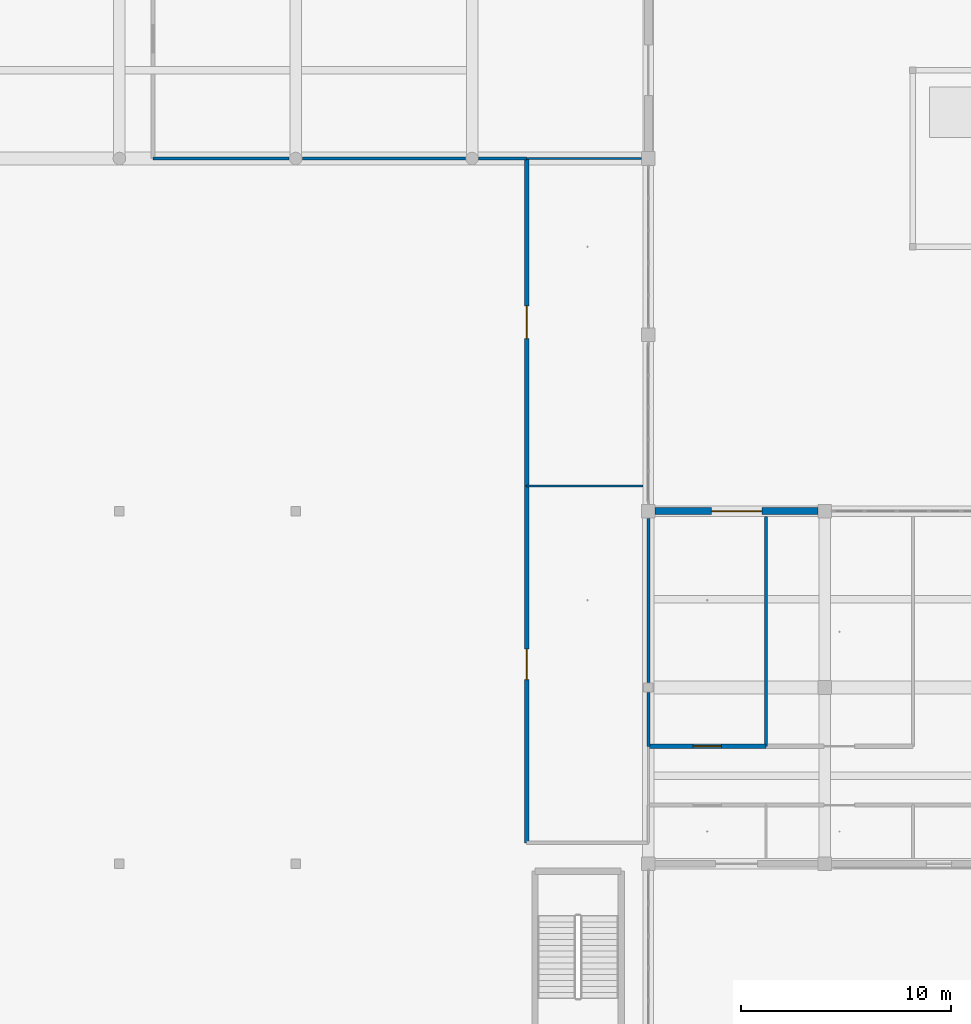
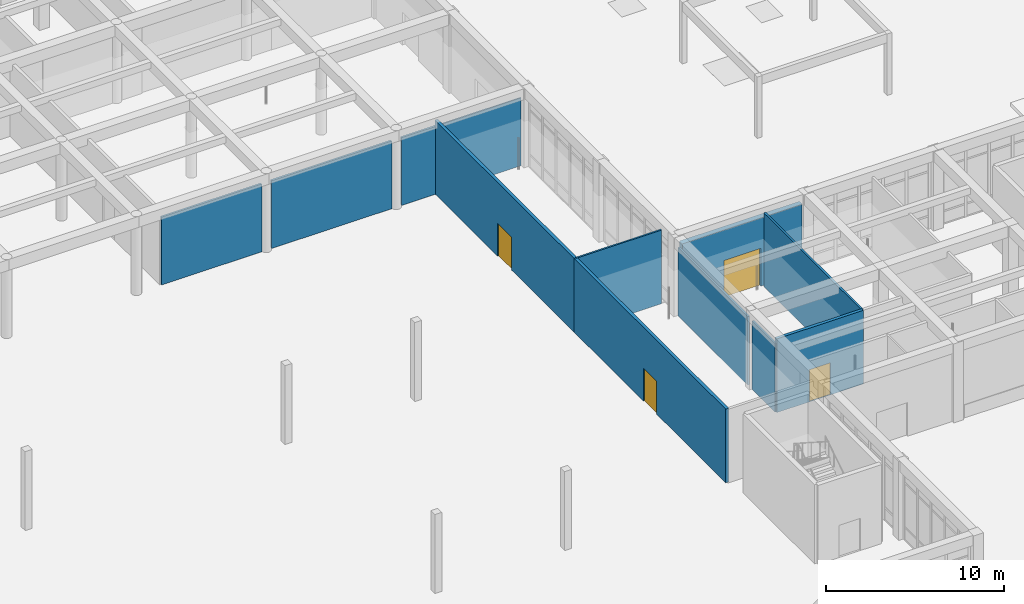
# One storey, part 64 of 167: 12 walls, 4 doors, 4 openings.
"""IFC4 building model written with IfcOpenShell, lengths in metres."""

from ifc_helpers import new_model, si_unit, direction, frame, frame_2d, origin, place, context, subcontext, project, spatial, rectangle, extrude, material, layer, layer_set, type_object, element, fill, save


model = new_model("IFC4")

# Units and contexts
model_context = context("Model", 3, precision=1e-05, world=origin(), true_north=direction((0.0, 1.0)))
body_context = subcontext(model_context, "Body", "Model", "MODEL_VIEW")
ifc_project = project(units=[si_unit("LENGTHUNIT", "METRE"), si_unit("AREAUNIT", "SQUARE_METRE"), si_unit("VOLUMEUNIT", "CUBIC_METRE"), si_unit("PLANEANGLEUNIT", "RADIAN"), si_unit("MASSUNIT", "GRAM", prefix="KILO")], contexts=[model_context])

# Site, building, storey
site_placement = place(None, origin())
site = spatial("IfcSite", under=ifc_project, at=site_placement, CompositionType="ELEMENT")
building_placement = place(site_placement, origin())
building = spatial("IfcBuilding", under=site, at=building_placement, Name="Varncliffe General Hospital", CompositionType="ELEMENT")
storey_placement = place(building_placement, origin())
storey = spatial("IfcBuildingStorey", under=building, at=storey_placement, Name="L00", CompositionType="ELEMENT", Elevation=0.0)

# Wall, opening, door
ifc_material_1 = material(Name="Precast concrete C40/50 with insulated cream lime-cement stucco", Category="concrete")
ifc_layer_1 = layer(ifc_material_1, 0.330078125)
ifc_layer_set_1 = layer_set([ifc_layer_1], Name="Precast concrete C40/50 with insulated cream lime-cement stucco")
wall_type_1 = type_object("IfcWallType", Name="Exterior Insulated Stucco Wall EW33 (330mm)", PredefinedType="SOLIDWALL", material=ifc_layer_set_1)
wall_1_placement = place(storey_placement, frame((117.923095703125, 40.800048828125, 0.0), z_axis=(0.0, 0.0, 1.0), x_axis=(1.0, 0.0, 0.0)))
wall_1 = element("IfcWall", 1, at=wall_1_placement, inside=storey, type_object=wall_type_1, Name="L00 Exterior Stucco Wall EW33-84", PredefinedType="SOLIDWALL", context=body_context, shape_type="SweptSolid", body=[
    extrude(rectangle(XDim=7.75390625, YDim=0.330078125, at=frame_2d((3.876953125, 0.0))), origin(), (0.0, 0.0, 1.0), 4.679931640625),
])
opening_1_placement = place(wall_1_placement, frame((2.677001953125, 0.0, 0.0)))
opening_1 = element("IfcOpeningElement", 2, at=opening_1_placement, cuts=wall_1, Name="Opening DE17", PredefinedType="OPENING", context=body_context, shape_type="SweptSolid", body=[
    extrude(rectangle(XDim=2.39990234375, YDim=2.60009765625, at=frame_2d((1.199951171875, 1.300048828125))), frame((0.0, 0.175048828125, 0.0), z_axis=(0.0, -1.0, 0.0), x_axis=(1.0, 0.0, 0.0)), (0.0, 0.0, 1.0), 0.35009765625),
])
ifc_material_2 = material(Name="Thermally broken bronze-anodized aluminium and safety glass door", Category="aluminium")
door_type_1 = type_object("IfcDoorType", Name="Exterior Pedestrian Door DE17 (2400x2600)", OperationType="NOTDEFINED", PredefinedType="DOOR", material=ifc_material_2)
door_1_placement = place(opening_1_placement, origin())
door_1 = element("IfcDoor", 3, at=door_1_placement, inside=storey, type_object=door_type_1, Name="Main Pedestrian Entrance and Final Exit Door FE-30", OperationType="DOUBLE_DOOR_SINGLE_SWING", OverallHeight=2.60009765625, OverallWidth=2.39990234375, PredefinedType="DOOR", context=body_context, shape_type="SweptSolid", body=[
    extrude(rectangle(XDim=2.39990234375, YDim=2.60009765625, at=frame_2d((1.199951171875, 1.300048828125))), frame((0.0, 0.02490234375, 0.0), z_axis=(0.0, -1.0, 0.0), x_axis=(1.0, 0.0, 0.0)), (0.0, 0.0, 1.0), 0.050048828125),
])
fill(opening_1, door_1)

# Walls
ifc_material_3 = material(Name="Acoustic clinical gypsum stud partition assembly", Category="gypsum")
ifc_layer_2 = layer(ifc_material_3, 0.1298828125)
ifc_layer_set_2 = layer_set([ifc_layer_2], Name="Acoustic clinical gypsum stud partition assembly")
wall_type_2 = type_object("IfcWallType", Name="Interior Partitioning IW11 (130mm)", PredefinedType="PARTITIONING", material=ifc_layer_set_2)
wall_2_placement = place(storey_placement, frame((101.114990234375, 57.60009765625, 0.0), z_axis=(0.0, 0.0, 1.0), x_axis=(1.0, 0.0, 0.0)))
element("IfcWall", 4, at=wall_2_placement, inside=storey, type_object=wall_type_2, Name="L00 Interior Partition Wall IW11-113", PredefinedType="PARTITIONING", context=body_context, shape_type="SweptSolid", body=[
    extrude(rectangle(XDim=7.77001953125, YDim=0.1298828125, at=frame_2d((3.885009765625, 0.0))), origin(), (0.0, 0.0, 1.0), 4.635009765625),
])
wall_3_placement = place(storey_placement, frame((94.0, 57.60009765625, 0.0), z_axis=(0.0, 0.0, 1.0), x_axis=(1.0, 0.0, 0.0)))
element("IfcWall", 5, at=wall_3_placement, inside=storey, type_object=wall_type_2, Name="L00 Interior Partition Wall IW11-114", PredefinedType="PARTITIONING", context=body_context, shape_type="SweptSolid", body=[
    extrude(rectangle(XDim=6.485107421875, YDim=0.1298828125, at=frame_2d((3.24267578125, 0.0))), origin(), (0.0, 0.0, 1.0), 4.635009765625),
])
wall_4_placement = place(storey_placement, frame((109.514892578125, 57.60009765625, 0.0), z_axis=(0.0, 0.0, 1.0), x_axis=(1.0, 0.0, 0.0)))
element("IfcWall", 6, at=wall_4_placement, inside=storey, type_object=wall_type_2, Name="L00 Interior Partition Wall IW11-115", PredefinedType="PARTITIONING", context=body_context, shape_type="SweptSolid", body=[
    extrude(rectangle(XDim=2.28515625, YDim=0.1298828125, at=frame_2d((1.142578125, 0.0))), origin(), (0.0, 0.0, 1.0), 4.635009765625),
])
wall_5_placement = place(storey_placement, frame((117.60009765625, 32.639892578125, 0.0), z_axis=(0.0, 0.0, 1.0), x_axis=(0.0, 1.0, 0.0)))
element("IfcWall", 7, at=wall_5_placement, inside=storey, type_object=wall_type_2, Name="L00 Interior Partition Wall IW11-358", PredefinedType="PARTITIONING", context=body_context, shape_type="SweptSolid", body=[
    extrude(rectangle(XDim=7.820068359375, YDim=0.1298828125, at=frame_2d((3.91015625, 0.0))), origin(), (0.0, 0.0, 1.0), 4.68505859375),
])
wall_6_placement = place(storey_placement, frame((117.60009765625, 29.60009765625, 0.0), z_axis=(0.0, 0.0, 1.0), x_axis=(0.0, 1.0, 0.0)))
element("IfcWall", 8, at=wall_6_placement, inside=storey, type_object=wall_type_2, Name="L00 Interior Partition Wall IW11-359", PredefinedType="PARTITIONING", context=body_context, shape_type="SweptSolid", body=[
    extrude(rectangle(XDim=2.559814453125, YDim=0.1298828125, at=frame_2d((1.27978515625, 0.0))), origin(), (0.0, 0.0, 1.0), 4.68505859375),
])
wall_7_placement = place(storey_placement, frame((123.199951171875, 29.60009765625, 0.0), z_axis=(0.0, 0.0, 1.0), x_axis=(0.0, 1.0, 0.0)))
element("IfcWall", 9, at=wall_7_placement, inside=storey, type_object=wall_type_2, Name="L00 Interior Partition Wall IW11-363", PredefinedType="PARTITIONING", context=body_context, shape_type="SweptSolid", body=[
    extrude(rectangle(XDim=10.93994140625, YDim=0.1298828125, at=frame_2d((5.469970703125, 0.0))), origin(), (0.0, 0.0, 1.0), 5.0400390625),
])
ifc_layer_3 = layer(ifc_material_3, 0.090087890625)
ifc_layer_set_3 = layer_set([ifc_layer_3], Name="Acoustic clinical gypsum stud partition assembly")
wall_type_3 = type_object("IfcWallType", Name="Interior Partitioning IW42 (90mm)", PredefinedType="PARTITIONING", material=ifc_layer_set_3)
wall_8_placement = place(storey_placement, frame((111.800048828125, 57.60009765625, 0.0), z_axis=(0.0, 0.0, 1.0), x_axis=(1.0, 0.0, 0.0)))
element("IfcWall", 10, at=wall_8_placement, inside=storey, type_object=wall_type_3, Name="L00 Interior Partition Wall IW42-116", PredefinedType="PARTITIONING", context=body_context, shape_type="SweptSolid", body=[
    extrude(rectangle(XDim=5.4599609375, YDim=0.090087890625, at=frame_2d((2.72998046875, 0.0))), origin(), (0.0, 0.0, 1.0), 4.635009765625),
])
ifc_layer_4 = layer(ifc_material_3, 0.110107421875)
ifc_layer_set_4 = layer_set([ifc_layer_4], Name="Acoustic clinical gypsum stud partition assembly")
wall_type_4 = type_object("IfcWallType", Name="Interior Partitioning IW65 (110mm)", PredefinedType="PARTITIONING", material=ifc_layer_set_4)
wall_9_placement = place(storey_placement, frame((111.800048828125, 42.0, 0.0), z_axis=(0.0, 0.0, 1.0), x_axis=(1.0, 0.0, 0.0)))
element("IfcWall", 11, at=wall_9_placement, inside=storey, type_object=wall_type_4, Name="L00 Interior Partition Wall IW65-102", PredefinedType="PARTITIONING", context=body_context, shape_type="SweptSolid", body=[
    extrude(rectangle(XDim=5.5400390625, YDim=0.110107421875, at=frame_2d((2.77001953125, 0.0))), origin(), (0.0, 0.0, 1.0), 5.0400390625),
])

# Wall, opening, door
ifc_material_4 = material(Name="Fire-rated gypsum and mineral-wool partition assembly", Category="gypsum")
ifc_layer_5 = layer(ifc_material_4, 0.199951171875)
ifc_layer_set_5 = layer_set([ifc_layer_5], Name="Fire-rated gypsum and mineral-wool partition assembly")
wall_type_5 = type_object("IfcWallType", Name="Interior Partitioning PW63 (200mm)", PredefinedType="PARTITIONING", material=ifc_layer_set_5)
wall_10_placement = place(storey_placement, frame((117.60009765625, 29.60009765625, 0.0), z_axis=(0.0, 0.0, 1.0), x_axis=(1.0, 0.0, 0.0)))
wall_10 = element("IfcWall", 12, at=wall_10_placement, inside=storey, type_object=wall_type_5, Name="L00 Interior Partition Wall PW63-91", PredefinedType="PARTITIONING", context=body_context, shape_type="SweptSolid", body=[
    extrude(rectangle(XDim=5.599853515625, YDim=0.199951171875, at=frame_2d((2.7998046875, 0.0))), origin(), (0.0, 0.0, 1.0), 5.0400390625),
])
opening_2_placement = place(wall_10_placement, frame((2.125, 0.0, 0.0)))
opening_2 = element("IfcOpeningElement", 13, at=opening_2_placement, cuts=wall_10, Name="Opening DC85", PredefinedType="OPENING", context=body_context, shape_type="SweptSolid", body=[
    extrude(rectangle(XDim=1.35009765625, YDim=2.199951171875, at=frame_2d((0.675048828125, 1.10009765625))), frame((0.0, 0.10986328125, 0.0), z_axis=(0.0, -1.0, 0.0), x_axis=(1.0, 0.0, 0.0)), (0.0, 0.0, 1.0), 0.219970703125),
])
ifc_material_5 = material(Name="Fire-rated hospital steel-frame vision-panel door", Category="steel")
door_type_2 = type_object("IfcDoorType", Name="Interior Hospital Door DC85 (1350x2200)", OperationType="NOTDEFINED", PredefinedType="DOOR", material=ifc_material_5)
door_2_placement = place(opening_2_placement, origin())
door_2 = element("IfcDoor", 14, at=door_2_placement, inside=storey, type_object=door_type_2, Name="L00 Outpatient Consultation and Exam Clinic 106 Door", OperationType="SINGLE_SWING_LEFT", OverallHeight=2.199951171875, OverallWidth=1.35009765625, PredefinedType="DOOR", context=body_context, shape_type="SweptSolid", body=[
    extrude(rectangle(XDim=1.35009765625, YDim=2.199951171875, at=frame_2d((0.675048828125, 1.10009765625))), frame((0.0, 0.02490234375, 0.0), z_axis=(0.0, -1.0, 0.0), x_axis=(1.0, 0.0, 0.0)), (0.0, 0.0, 1.0), 0.050048828125),
])
fill(opening_2, door_2)

wall_11_placement = place(storey_placement, frame((111.800048828125, 25.0, 0.0), z_axis=(0.0, 0.0, 1.0), x_axis=(0.0, 1.0, 0.0)))
wall_11 = element("IfcWall", 15, at=wall_11_placement, inside=storey, type_object=wall_type_5, Name="L00 Interior Partition Wall PW63-352", PredefinedType="PARTITIONING", context=body_context, shape_type="SweptSolid", body=[
    extrude(rectangle(XDim=17.0, YDim=0.199951171875, at=frame_2d((8.5, 0.0))), origin(), (0.0, 0.0, 1.0), 5.0400390625),
])
opening_3_placement = place(wall_11_placement, frame((7.77490234375, 0.0, 0.0)))
opening_3 = element("IfcOpeningElement", 16, at=opening_3_placement, cuts=wall_11, Name="Opening DC66", PredefinedType="OPENING", context=body_context, shape_type="SweptSolid", body=[
    extrude(rectangle(XDim=1.449951171875, YDim=2.25, at=frame_2d((0.72509765625, 1.125))), frame((0.0, 0.10986328125, 0.0), z_axis=(0.0, -1.0, 0.0), x_axis=(1.0, 0.0, 0.0)), (0.0, 0.0, 1.0), 0.219970703125),
])
door_type_3 = type_object("IfcDoorType", Name="Interior Hospital Door DC66 (1450x2250)", OperationType="NOTDEFINED", PredefinedType="DOOR", material=ifc_material_5)
door_3_placement = place(opening_3_placement, frame((1.449951171875, 0.0, 0.0), z_axis=(0.0, 0.0, 1.0), x_axis=(-1.0, 0.0, 0.0)))
door_3 = element("IfcDoor", 17, at=door_3_placement, inside=storey, type_object=door_type_3, Name="L00 Hospital Dining Cafeteria Door", OperationType="SINGLE_SWING_RIGHT", OverallHeight=2.25, OverallWidth=1.449951171875, PredefinedType="DOOR", context=body_context, shape_type="SweptSolid", body=[
    extrude(rectangle(XDim=1.449951171875, YDim=2.25, at=frame_2d((0.72509765625, 1.125))), frame((0.0, 0.02490234375, 0.0), z_axis=(0.0, -1.0, 0.0), x_axis=(1.0, 0.0, 0.0)), (0.0, 0.0, 1.0), 0.050048828125),
])
fill(opening_3, door_3)

wall_12_placement = place(storey_placement, frame((111.800048828125, 42.0, 0.0), z_axis=(0.0, 0.0, 1.0), x_axis=(0.0, 1.0, 0.0)))
wall_12 = element("IfcWall", 18, at=wall_12_placement, inside=storey, type_object=wall_type_5, Name="L00 Interior Partition Wall PW63-353", PredefinedType="PARTITIONING", context=body_context, shape_type="SweptSolid", body=[
    extrude(rectangle(XDim=15.60009765625, YDim=0.199951171875, at=frame_2d((7.800048828125, 0.0))), origin(), (0.0, 0.0, 1.0), 5.0400390625),
])
opening_4_placement = place(wall_12_placement, frame((7.02490234375, 0.0, 0.0)))
opening_4 = element("IfcOpeningElement", 19, at=opening_4_placement, cuts=wall_12, Name="Opening DC67", PredefinedType="OPENING", context=body_context, shape_type="SweptSolid", body=[
    extrude(rectangle(XDim=1.550048828125, YDim=2.25, at=frame_2d((0.77490234375, 1.125))), frame((0.0, 0.10986328125, 0.0), z_axis=(0.0, -1.0, 0.0), x_axis=(1.0, 0.0, 0.0)), (0.0, 0.0, 1.0), 0.219970703125),
])
door_type_4 = type_object("IfcDoorType", Name="Interior Hospital Door DC67 (1550x2250)", OperationType="NOTDEFINED", PredefinedType="DOOR", material=ifc_material_5)
door_4_placement = place(opening_4_placement, frame((1.550048828125, 0.0, 0.0), z_axis=(0.0, 0.0, 1.0), x_axis=(-1.0, 0.0, 0.0)))
door_4 = element("IfcDoor", 20, at=door_4_placement, inside=storey, type_object=door_type_4, Name="L00 Cloister Cafe and Catering Kitchen Door", OperationType="SINGLE_SWING_LEFT", OverallHeight=2.25, OverallWidth=1.550048828125, PredefinedType="DOOR", context=body_context, shape_type="SweptSolid", body=[
    extrude(rectangle(XDim=1.550048828125, YDim=2.25, at=frame_2d((0.77490234375, 1.125))), frame((0.0, 0.02490234375, 0.0), z_axis=(0.0, -1.0, 0.0), x_axis=(1.0, 0.0, 0.0)), (0.0, 0.0, 1.0), 0.050048828125),
])
fill(opening_4, door_4)

save(model, "model.ifc")
